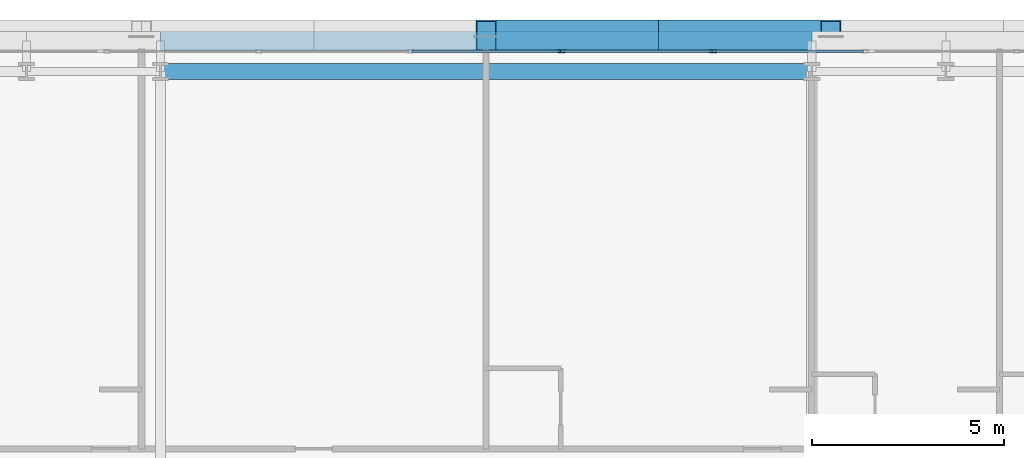
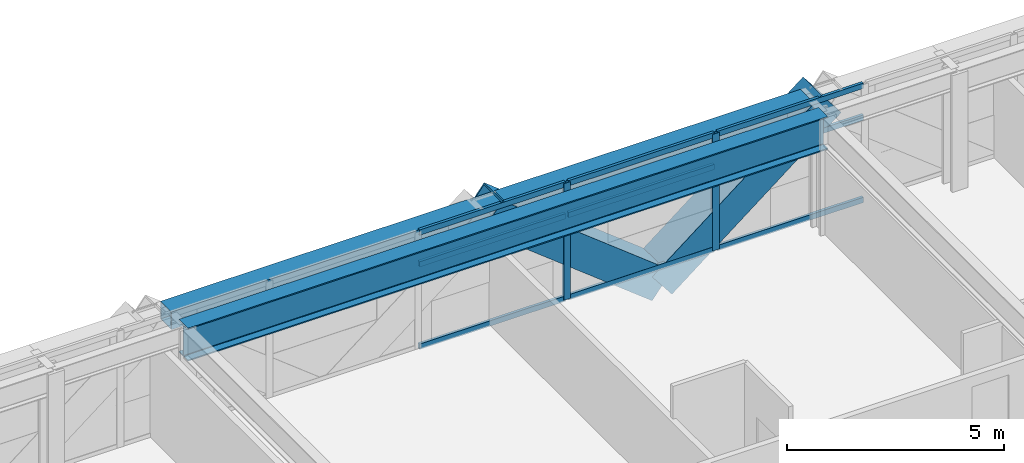
# One storey, part 19 of 35: 13 members, 2 beams, 1 element without a shape of its own.
"""IFC4 building model written with IfcOpenShell, lengths in metres."""

from ifc_helpers import new_model, si_unit, direction, frame, origin, origin_2d, place, context, subcontext, project, spatial, hollow_rectangle, i_section, extrude, source, transform, mapped, material, layer, layer_set, material_profile, profile_set, type_object, element, aggregate, save


model = new_model("IFC4")

# Units and contexts
model_context = context("Model", 3, precision=1e-05, world=origin(), true_north=direction((0.0, 1.0)))
body_context = subcontext(model_context, "Body", "Model", "MODEL_VIEW")
ifc_project = project(units=[si_unit("LENGTHUNIT", "METRE"), si_unit("AREAUNIT", "SQUARE_METRE"), si_unit("VOLUMEUNIT", "CUBIC_METRE"), si_unit("PLANEANGLEUNIT", "RADIAN"), si_unit("MASSUNIT", "GRAM", prefix="KILO")], contexts=[model_context])

# Site, building, storey
site_placement = place(None, origin())
site = spatial("IfcSite", under=ifc_project, at=site_placement, CompositionType="ELEMENT")
building_placement = place(site_placement, origin())
building = spatial("IfcBuilding", under=site, at=building_placement, Name="Ocotamira Hotel", CompositionType="ELEMENT")
storey_placement = place(building_placement, frame((0.0, 0.0, 81.60009765625)))
storey = spatial("IfcBuildingStorey", under=building, at=storey_placement, Name="L20", CompositionType="ELEMENT", Elevation=81.60009765625)

# Beams
ifc_material_1 = material(Name="Steel ASTM A992 Grade 50", Category="steel")
ifc_material_profile_1 = material_profile(ifc_material_1, i_section(OverallWidth=0.41796875, OverallDepth=0.927001953125, WebThickness=0.019287109375, FlangeThickness=0.031982421875, FilletRadius=0.02392578125, at=origin_2d()), Name="W36X231")
ifc_profile_set_1 = profile_set([ifc_material_profile_1], Name="Steel ASTM A992 Grade 50")
beam_type_1 = type_object("IfcBeamType", Name="BM-GIRD-W36X231", PredefinedType="BEAM", material=ifc_profile_set_1)
shared_shape_1 = source(origin(), body_context, "Body", "SweptSolid", [
    extrude(i_section(OverallWidth=0.41796875, OverallDepth=0.927001953125, WebThickness=0.019287109375, FlangeThickness=0.031982421875, FilletRadius=0.02392578125, at=origin_2d()), origin(), (0.0, 0.0, 1.0), 17.0),
])
beam_1_placement = place(storey_placement, frame((23.5, 49.050048828125, 2.81640625), z_axis=(1.0, 0.0, 0.0), x_axis=(0.0, 1.0, 0.0)))
element("IfcBeam", 1, at=beam_1_placement, inside=storey, type_object=beam_type_1, Name="L20 Girder Y49.05 X23.5-40.5", PredefinedType="BEAM", context=body_context, shape_type="MappedRepresentation", body=[
    mapped(shared_shape_1, transform((0.0, 0.0, 0.0), scale=1.0)),
])
ifc_material_2 = material(Name="Steel ASTM A500 Grade C", Category="steel")
ifc_material_profile_2 = material_profile(ifc_material_2, hollow_rectangle(XDim=0.5, YDim=0.5, WallThickness=0.02001953125, at=origin_2d()), Name="HSS500X500X20")
ifc_profile_set_2 = profile_set([ifc_material_profile_2], Name="Steel ASTM A500 Grade C")
beam_type_2 = type_object("IfcBeamType", Name="BM-SPAN-HSS500", PredefinedType="USERDEFINED", material=ifc_profile_set_2)
shared_shape_2 = source(origin(), body_context, "Body", "SweptSolid", [
    extrude(hollow_rectangle(XDim=0.5, YDim=0.5, WallThickness=0.02001953125, at=origin_2d()), origin(), (0.0, 0.0, 1.0), 17.0),
])
beam_2_placement = place(storey_placement, frame((23.5, 49.85009765625, 3.02978515625), z_axis=(1.0, 0.0, 0.0), x_axis=(0.0, 1.0, 0.0)))
element("IfcBeam", 2, at=beam_2_placement, inside=storey, type_object=beam_type_2, Name="L20 Edge Spandrel N X23.5-40.5", ObjectType="SPANDREL", PredefinedType="USERDEFINED", context=body_context, shape_type="MappedRepresentation", body=[
    mapped(shared_shape_2, transform((0.0, 0.0, 0.0), scale=1.0)),
])

# Members
ifc_material_3 = material(Name="Pale-metal coated steel ASTM A913 Grade 65", Category="steel")
ifc_material_profile_3 = material_profile(ifc_material_3, hollow_rectangle(XDim=0.85009765625, YDim=0.85009765625, WallThickness=0.035888671875, at=origin_2d()), Name="BOX850X850X36")
ifc_profile_set_3 = profile_set([ifc_material_profile_3], Name="Pale-metal coated steel ASTM A913 Grade 65")
member_type_1 = type_object("IfcMemberType", Name="MEM-EXO-BOX850", PredefinedType="BRACE", material=ifc_profile_set_3)
shared_shape_3 = source(origin(), body_context, "Body", "SweptSolid", [
    extrude(hollow_rectangle(XDim=0.85009765625, YDim=0.85009765625, WallThickness=0.035888671875, at=origin_2d()), origin(), (0.0, 0.0, 1.0), 5.71923828125),
])
for number, where, z_axis, x_axis, name in (
    (3, (36.5, 49.969970703125, -0.5), (-0.786821712922, 0.0, 0.617180356197), (0.0, -1.0, 0.0), "L20 Exoskeleton Diagrid N2.1"),
    (4, (36.5, 49.969970703125, -0.5), (0.786821712922, 0.0, 0.617180356197), (0.0, 1.0, 0.0), "L20 Exoskeleton Diagrid N2.2"),
):
    element("IfcMember", number, at=place(storey_placement, frame(where, z_axis=z_axis, x_axis=x_axis)), inside=storey, type_object=member_type_1, Name=name, PredefinedType="BRACE", context=body_context, shape_type="MappedRepresentation", body=[
        mapped(shared_shape_3, transform((0.0, 0.0, 0.0), scale=1.0)),
    ])

# Curtain wall, members
ifc_material_4 = material(Name="Anodised pale-metal aluminium and solar glass", Category="aluminium")
ifc_layer = layer(ifc_material_4, 0.179931640625)
ifc_layer_set = layer_set([ifc_layer], Name="Anodised pale-metal aluminium and solar glass")
curtain_wall_type = type_object("IfcCurtainWallType", Name="CW-SYS2-Z1", PredefinedType="NOTDEFINED", material=ifc_layer_set)
curtain_wall_placement = place(storey_placement, origin())
curtain_wall = element("IfcCurtainWall", 5, at=curtain_wall_placement, inside=storey, type_object=curtain_wall_type, Name="L20 Curtain Wall CW-2 CW-L20-N", PredefinedType="NOTDEFINED")
ifc_material_5 = material(Name="Anodised pale-metal aluminium 6063-T6", Category="aluminium")
ifc_material_profile_4 = material_profile(ifc_material_5, hollow_rectangle(XDim=0.074951171875, YDim=0.14990234375, WallThickness=0.006103515625, at=origin_2d()), Name="HSS150X75X6")
ifc_profile_set_4 = profile_set([ifc_material_profile_4], Name="Anodised pale-metal aluminium 6063-T6")
member_type_2 = type_object("IfcMemberType", Name="CWT-150X75", PredefinedType="USERDEFINED", material=ifc_profile_set_4)
shared_shape_4 = source(origin(), body_context, "Body", "SweptSolid", [
    extrude(hollow_rectangle(XDim=0.074951171875, YDim=0.14990234375, WallThickness=0.006103515625, at=origin_2d()), origin(), (0.0, 0.0, 1.0), 3.87548828125),
])
member_1_placement = place(storey_placement, frame((30.062255859375, 49.580078125, 0.037353515625), z_axis=(1.0, 0.0, 0.0), x_axis=(0.0, 1.0, 0.0)))
member_1 = element("IfcMember", 6, at=member_1_placement, type_object=member_type_2, Name="CW-2 transom 5.1", ObjectType="TRANSOM", PredefinedType="USERDEFINED", context=body_context, shape_type="MappedRepresentation", body=[
    mapped(shared_shape_4, transform((0.0, 0.0, 0.0), scale=1.0)),
])
member_2_placement = place(storey_placement, frame((30.062255859375, 49.580078125, 2.349853515625), z_axis=(1.0, 0.0, 0.0), x_axis=(0.0, 1.0, 0.0)))
member_2 = element("IfcMember", 7, at=member_2_placement, type_object=member_type_2, Name="CW-2 transom 5.2", ObjectType="TRANSOM", PredefinedType="USERDEFINED", context=body_context, shape_type="MappedRepresentation", body=[
    mapped(shared_shape_4, transform((0.0, 0.0, 0.0), scale=1.0)),
])
member_3_placement = place(storey_placement, frame((30.062255859375, 49.580078125, 3.242431640625), z_axis=(1.0, 0.0, 0.0), x_axis=(0.0, 1.0, 0.0)))
member_3 = element("IfcMember", 8, at=member_3_placement, type_object=member_type_2, Name="CW-2 transom 5.3", ObjectType="TRANSOM", PredefinedType="USERDEFINED", context=body_context, shape_type="MappedRepresentation", body=[
    mapped(shared_shape_4, transform((0.0, 0.0, 0.0), scale=1.0)),
])
member_4_placement = place(storey_placement, frame((34.017822265625, 49.580078125, 0.037353515625), z_axis=(1.0, 0.0, 0.0), x_axis=(0.0, 1.0, 0.0)))
member_4 = element("IfcMember", 9, at=member_4_placement, type_object=member_type_2, Name="CW-2 transom 6.1", ObjectType="TRANSOM", PredefinedType="USERDEFINED", context=body_context, shape_type="MappedRepresentation", body=[
    mapped(shared_shape_4, transform((0.0, 0.0, 0.0), scale=1.0)),
])
member_5_placement = place(storey_placement, frame((34.017822265625, 49.580078125, 2.349853515625), z_axis=(1.0, 0.0, 0.0), x_axis=(0.0, 1.0, 0.0)))
member_5 = element("IfcMember", 10, at=member_5_placement, type_object=member_type_2, Name="CW-2 transom 6.2", ObjectType="TRANSOM", PredefinedType="USERDEFINED", context=body_context, shape_type="MappedRepresentation", body=[
    mapped(shared_shape_4, transform((0.0, 0.0, 0.0), scale=1.0)),
])
member_6_placement = place(storey_placement, frame((34.017822265625, 49.580078125, 3.242431640625), z_axis=(1.0, 0.0, 0.0), x_axis=(0.0, 1.0, 0.0)))
member_6 = element("IfcMember", 11, at=member_6_placement, type_object=member_type_2, Name="CW-2 transom 6.3", ObjectType="TRANSOM", PredefinedType="USERDEFINED", context=body_context, shape_type="MappedRepresentation", body=[
    mapped(shared_shape_4, transform((0.0, 0.0, 0.0), scale=1.0)),
])
member_7_placement = place(storey_placement, frame((37.973388671875, 49.580078125, 0.037353515625), z_axis=(1.0, 0.0, 0.0), x_axis=(0.0, 1.0, 0.0)))
member_7 = element("IfcMember", 12, at=member_7_placement, type_object=member_type_2, Name="CW-2 transom 7.1", ObjectType="TRANSOM", PredefinedType="USERDEFINED", context=body_context, shape_type="MappedRepresentation", body=[
    mapped(shared_shape_4, transform((0.0, 0.0, 0.0), scale=1.0)),
])
member_8_placement = place(storey_placement, frame((37.973388671875, 49.580078125, 2.349853515625), z_axis=(1.0, 0.0, 0.0), x_axis=(0.0, 1.0, 0.0)))
member_8 = element("IfcMember", 13, at=member_8_placement, type_object=member_type_2, Name="CW-2 transom 7.2", ObjectType="TRANSOM", PredefinedType="USERDEFINED", context=body_context, shape_type="MappedRepresentation", body=[
    mapped(shared_shape_4, transform((0.0, 0.0, 0.0), scale=1.0)),
])
member_9_placement = place(storey_placement, frame((37.973388671875, 49.580078125, 3.242431640625), z_axis=(1.0, 0.0, 0.0), x_axis=(0.0, 1.0, 0.0)))
member_9 = element("IfcMember", 14, at=member_9_placement, type_object=member_type_2, Name="CW-2 transom 7.3", ObjectType="TRANSOM", PredefinedType="USERDEFINED", context=body_context, shape_type="MappedRepresentation", body=[
    mapped(shared_shape_4, transform((0.0, 0.0, 0.0), scale=1.0)),
])
ifc_material_profile_5 = material_profile(ifc_material_5, hollow_rectangle(XDim=0.080078125, YDim=0.179931640625, WallThickness=0.006103515625, at=origin_2d()), Name="HSS180X80X6")
ifc_profile_set_5 = profile_set([ifc_material_profile_5], Name="Anodised pale-metal aluminium 6063-T6")
member_type_3 = type_object("IfcMemberType", Name="CWM-180X75", PredefinedType="MULLION", material=ifc_profile_set_5)
shared_shape_5 = source(origin(), body_context, "Body", "SweptSolid", [
    extrude(hollow_rectangle(XDim=0.080078125, YDim=0.179931640625, WallThickness=0.006103515625, at=origin_2d()), origin(), (0.0, 0.0, 1.0), 3.27978515625),
])
member_10_placement = place(storey_placement, frame((33.977783203125, 49.580078125, 0.0), z_axis=(0.0, 0.0, 1.0), x_axis=(0.0, 1.0, 0.0)))
member_10 = element("IfcMember", 15, at=member_10_placement, type_object=member_type_3, Name="CW-2 mullion 6", PredefinedType="MULLION", context=body_context, shape_type="MappedRepresentation", body=[
    mapped(shared_shape_5, transform((0.0, 0.0, 0.0), scale=1.0)),
])
member_11_placement = place(storey_placement, frame((37.933349609375, 49.580078125, 0.0), z_axis=(0.0, 0.0, 1.0), x_axis=(0.0, 1.0, 0.0)))
member_11 = element("IfcMember", 16, at=member_11_placement, type_object=member_type_3, Name="CW-2 mullion 7", PredefinedType="MULLION", context=body_context, shape_type="MappedRepresentation", body=[
    mapped(shared_shape_5, transform((0.0, 0.0, 0.0), scale=1.0)),
])
aggregate(curtain_wall, [member_10, member_11, member_1, member_2, member_3, member_4, member_5, member_6, member_7, member_8, member_9])

save(model, "model.ifc")
